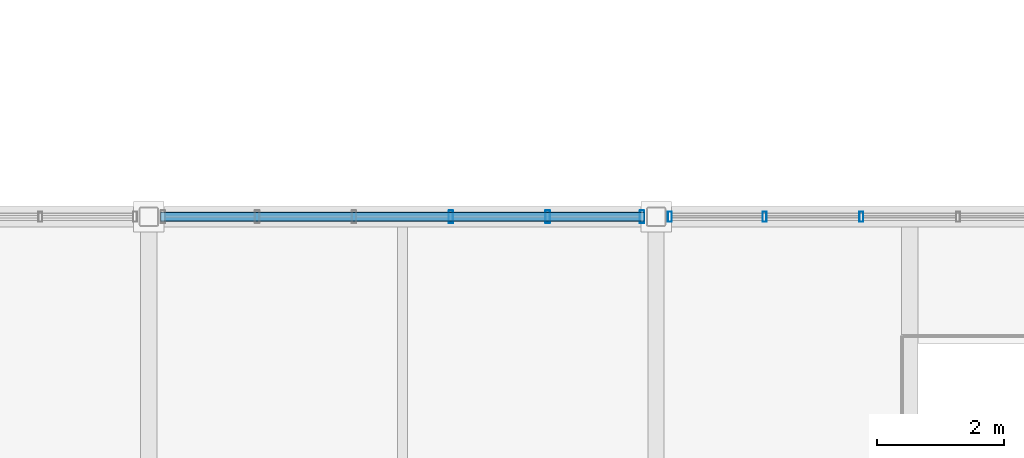
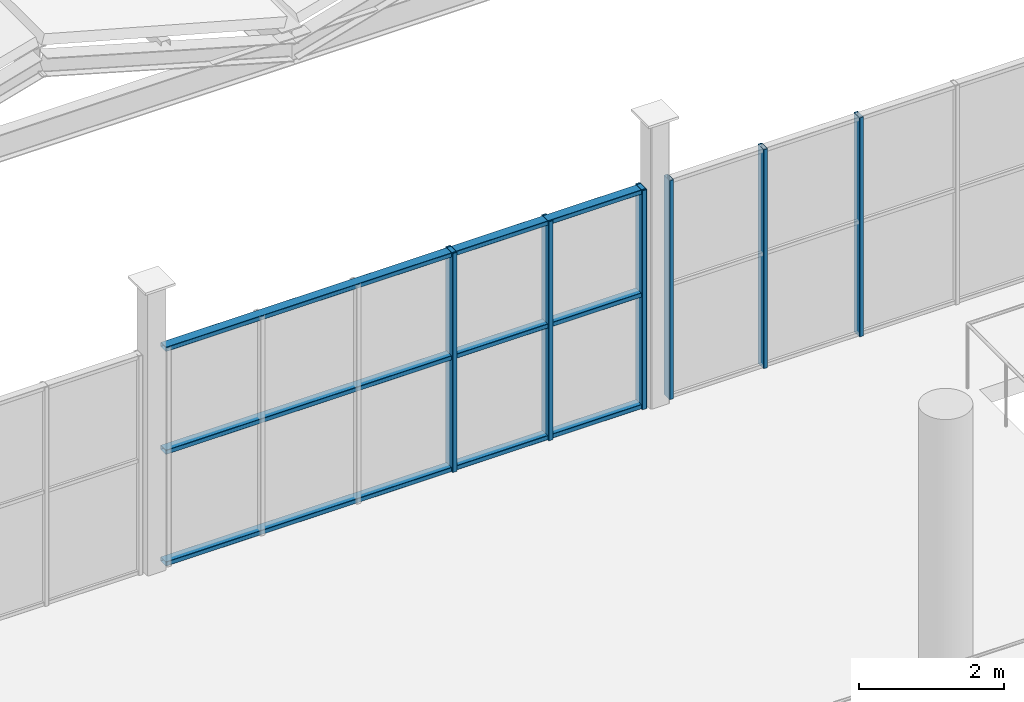
# One storey, part 38 of 114: 9 members, 2 elements without a shape of their own.
"""IFC4 building model written with IfcOpenShell, lengths in metres."""

from ifc_helpers import new_model, si_unit, direction, frame, origin, origin_2d, place, context, subcontext, project, spatial, hollow_rectangle, extrude, material, material_profile, profile_set, type_object, element, aggregate, save


model = new_model("IFC4")

# Units and contexts
model_context = context("Model", 3, precision=1e-05, world=origin(), true_north=direction((0.0, 1.0)))
body_context = subcontext(model_context, "Body", "Model", "MODEL_VIEW")
ifc_project = project(units=[si_unit("LENGTHUNIT", "METRE"), si_unit("AREAUNIT", "SQUARE_METRE"), si_unit("VOLUMEUNIT", "CUBIC_METRE"), si_unit("PLANEANGLEUNIT", "RADIAN"), si_unit("MASSUNIT", "GRAM", prefix="KILO")], contexts=[model_context])

# Site, building, storey
site_placement = place(None, origin())
site = spatial("IfcSite", under=ifc_project, at=site_placement, CompositionType="ELEMENT")
building_placement = place(site_placement, origin())
building = spatial("IfcBuilding", under=site, at=building_placement, Name="Verrall Gate Interchange", CompositionType="ELEMENT")
storey_placement = place(building_placement, frame((0.0, 0.0, 6.60009765625)))
storey = spatial("IfcBuildingStorey", under=building, at=storey_placement, Name="L02", CompositionType="ELEMENT", Elevation=6.60009765625)

# Curtain wall, members
ifc_material_1 = material(Name="Thermally Broken Anodized Aluminium Curtain Wall Framing", Category="aluminium")
curtain_wall_type = type_object("IfcCurtainWallType", Name="CW-21 Unitized Curtain Wall 7631x3680", PredefinedType="NOTDEFINED", material=ifc_material_1)
curtain_wall_1_placement = place(storey_placement, origin())
curtain_wall_1 = element("IfcCurtainWall", 1, at=curtain_wall_1_placement, inside=storey, type_object=curtain_wall_type, Name="L02 Unitized Curtain Wall CW-L02-080", PredefinedType="NOTDEFINED")
ifc_material_2 = material(Name="Thermally Broken Anodized Aluminium Curtain Wall Framing", Category="aluminium")
ifc_material_profile_1 = material_profile(ifc_material_2, hollow_rectangle(XDim=0.06494140625, YDim=0.159912109375, WallThickness=0.00390625, InnerFilletRadius=0.00390625, OuterFilletRadius=0.008056640625, at=origin_2d()), Name="CWM160x65x4")
ifc_profile_set_1 = profile_set([ifc_material_profile_1], Name="Thermally Broken Anodized Aluminium Curtain Wall Framing")
member_type_1 = type_object("IfcMemberType", Name="CM-01 Curtain Mullion CWM160x65x4", PredefinedType="MULLION", material=ifc_profile_set_1)
member_1_placement = place(storey_placement, frame((71.23681640625, 56.0, 0.0), z_axis=(0.0, 0.0, 1.0), x_axis=(-1.0, 0.0, 0.0)))
member_1 = element("IfcMember", 2, at=member_1_placement, type_object=member_type_1, Name="CW-L02-080 Mullion 4", PredefinedType="MULLION", context=body_context, shape_type="SweptSolid", body=[
    extrude(hollow_rectangle(XDim=0.06494140625, YDim=0.159912109375, WallThickness=0.00390625, InnerFilletRadius=0.00390625, OuterFilletRadius=0.008056640625, at=origin_2d()), origin(), (0.0, 0.0, 1.0), 3.679931640625),
])
member_2_placement = place(storey_placement, frame((69.710693359375, 56.0, 0.0), z_axis=(0.0, 0.0, 1.0), x_axis=(-1.0, 0.0, 0.0)))
member_2 = element("IfcMember", 3, at=member_2_placement, type_object=member_type_1, Name="CW-L02-080 Mullion 5", PredefinedType="MULLION", context=body_context, shape_type="SweptSolid", body=[
    extrude(hollow_rectangle(XDim=0.06494140625, YDim=0.159912109375, WallThickness=0.00390625, InnerFilletRadius=0.00390625, OuterFilletRadius=0.008056640625, at=origin_2d()), origin(), (0.0, 0.0, 1.0), 3.679931640625),
])
member_3_placement = place(storey_placement, frame((68.217041015625, 56.0, 0.0), z_axis=(0.0, 0.0, 1.0), x_axis=(-1.0, 0.0, 0.0)))
member_3 = element("IfcMember", 4, at=member_3_placement, type_object=member_type_1, Name="CW-L02-080 Mullion 6", PredefinedType="MULLION", context=body_context, shape_type="SweptSolid", body=[
    extrude(hollow_rectangle(XDim=0.06494140625, YDim=0.159912109375, WallThickness=0.00390625, InnerFilletRadius=0.00390625, OuterFilletRadius=0.008056640625, at=origin_2d()), origin(), (0.0, 0.0, 1.0), 3.679931640625),
])
aggregate(curtain_wall_1, [member_1, member_2, member_3])

curtain_wall_2_placement = place(storey_placement, origin())
curtain_wall_2 = element("IfcCurtainWall", 5, at=curtain_wall_2_placement, inside=storey, type_object=curtain_wall_type, Name="L02 Unitized Curtain Wall CW-L02-081", PredefinedType="NOTDEFINED")
ifc_material_3 = material(Name="Thermally Broken Anodized Aluminium Curtain Wall Framing", Category="aluminium")
ifc_material_profile_2 = material_profile(ifc_material_3, hollow_rectangle(XDim=0.074951171875, YDim=0.199951171875, WallThickness=0.0048828125, InnerFilletRadius=0.0048828125, OuterFilletRadius=0.010009765625, at=origin_2d()), Name="CWM200x75x5")
ifc_profile_set_2 = profile_set([ifc_material_profile_2], Name="Thermally Broken Anodized Aluminium Curtain Wall Framing")
member_type_2 = type_object("IfcMemberType", Name="CM-02 Curtain Mullion CWM200x75x5", PredefinedType="MULLION", material=ifc_profile_set_2)
member_4_placement = place(storey_placement, frame((67.778076171875, 56.0, 0.0), z_axis=(0.0, 0.0, 1.0), x_axis=(-1.0, 0.0, 0.0)))
member_4 = element("IfcMember", 6, at=member_4_placement, type_object=member_type_2, Name="CW-L02-081 Mullion 1", PredefinedType="MULLION", context=body_context, shape_type="SweptSolid", body=[
    extrude(hollow_rectangle(XDim=0.074951171875, YDim=0.199951171875, WallThickness=0.0048828125, InnerFilletRadius=0.0048828125, OuterFilletRadius=0.010009765625, at=origin_2d()), origin(), (0.0, 0.0, 1.0), 3.679931640625),
])
member_5_placement = place(storey_placement, frame((66.289306640625, 56.0, 0.0), z_axis=(0.0, 0.0, 1.0), x_axis=(-1.0, 0.0, 0.0)))
member_5 = element("IfcMember", 7, at=member_5_placement, type_object=member_type_2, Name="CW-L02-081 Mullion 2", PredefinedType="MULLION", context=body_context, shape_type="SweptSolid", body=[
    extrude(hollow_rectangle(XDim=0.074951171875, YDim=0.199951171875, WallThickness=0.0048828125, InnerFilletRadius=0.0048828125, OuterFilletRadius=0.010009765625, at=origin_2d()), origin(), (0.0, 0.0, 1.0), 3.679931640625),
])
member_6_placement = place(storey_placement, frame((64.76318359375, 56.0, 0.0), z_axis=(0.0, 0.0, 1.0), x_axis=(-1.0, 0.0, 0.0)))
member_6 = element("IfcMember", 8, at=member_6_placement, type_object=member_type_2, Name="CW-L02-081 Mullion 3", PredefinedType="MULLION", context=body_context, shape_type="SweptSolid", body=[
    extrude(hollow_rectangle(XDim=0.074951171875, YDim=0.199951171875, WallThickness=0.0048828125, InnerFilletRadius=0.0048828125, OuterFilletRadius=0.010009765625, at=origin_2d()), origin(), (0.0, 0.0, 1.0), 3.679931640625),
])
ifc_material_4 = material(Name="Thermally Broken Anodized Aluminium Curtain Wall Framing", Category="aluminium")
ifc_material_profile_3 = material_profile(ifc_material_4, hollow_rectangle(XDim=0.14990234375, YDim=0.074951171875, WallThickness=0.00439453125, InnerFilletRadius=0.00439453125, OuterFilletRadius=0.009033203125, at=origin_2d()), Name="CWT150x75x4.5")
ifc_profile_set_3 = profile_set([ifc_material_profile_3], Name="Thermally Broken Anodized Aluminium Curtain Wall Framing")
member_type_3 = type_object("IfcMemberType", Name="CT-02 Curtain Transom CWT150x75x4.5", PredefinedType="USERDEFINED", material=ifc_profile_set_3)
member_7_placement = place(storey_placement, frame((67.8154296875, 56.0, 0.037353515625), z_axis=(-1.0, 0.0, 0.0), x_axis=(0.0, -1.0, 0.0)))
member_7 = element("IfcMember", 9, at=member_7_placement, type_object=member_type_3, Name="CW-L02-081 Transom 1", ObjectType="TRANSOM", PredefinedType="USERDEFINED", context=body_context, shape_type="SweptSolid", body=[
    extrude(hollow_rectangle(XDim=0.14990234375, YDim=0.074951171875, WallThickness=0.00439453125, InnerFilletRadius=0.00439453125, OuterFilletRadius=0.009033203125, at=origin_2d()), origin(), (0.0, 0.0, 1.0), 7.630859375),
])
member_8_placement = place(storey_placement, frame((67.8154296875, 56.0, 1.91357421875), z_axis=(-1.0, 0.0, 0.0), x_axis=(0.0, -1.0, 0.0)))
member_8 = element("IfcMember", 10, at=member_8_placement, type_object=member_type_3, Name="CW-L02-081 Transom 2", ObjectType="TRANSOM", PredefinedType="USERDEFINED", context=body_context, shape_type="SweptSolid", body=[
    extrude(hollow_rectangle(XDim=0.14990234375, YDim=0.074951171875, WallThickness=0.00439453125, InnerFilletRadius=0.00439453125, OuterFilletRadius=0.009033203125, at=origin_2d()), origin(), (0.0, 0.0, 1.0), 7.630859375),
])
member_9_placement = place(storey_placement, frame((67.8154296875, 56.0, 3.642333984375), z_axis=(-1.0, 0.0, 0.0), x_axis=(0.0, -1.0, 0.0)))
member_9 = element("IfcMember", 11, at=member_9_placement, type_object=member_type_3, Name="CW-L02-081 Transom 3", ObjectType="TRANSOM", PredefinedType="USERDEFINED", context=body_context, shape_type="SweptSolid", body=[
    extrude(hollow_rectangle(XDim=0.14990234375, YDim=0.074951171875, WallThickness=0.00439453125, InnerFilletRadius=0.00439453125, OuterFilletRadius=0.009033203125, at=origin_2d()), origin(), (0.0, 0.0, 1.0), 7.630859375),
])
aggregate(curtain_wall_2, [member_4, member_5, member_6, member_7, member_8, member_9])

save(model, "model.ifc")
